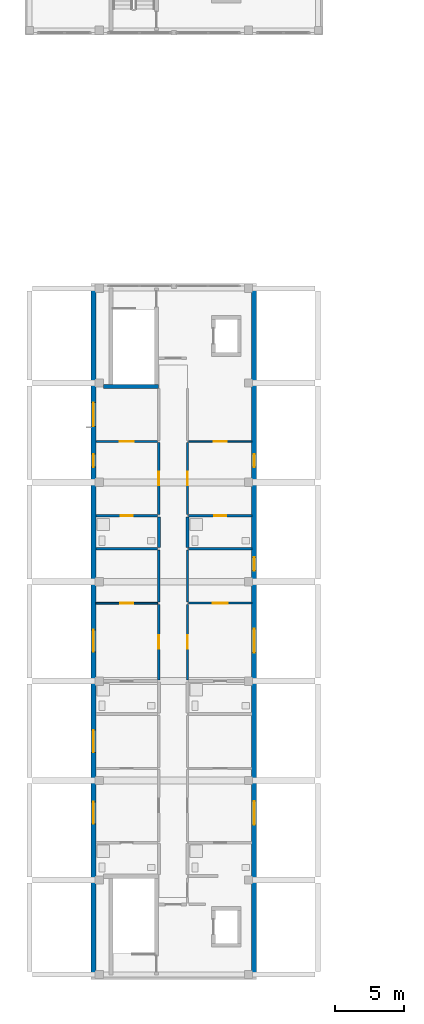
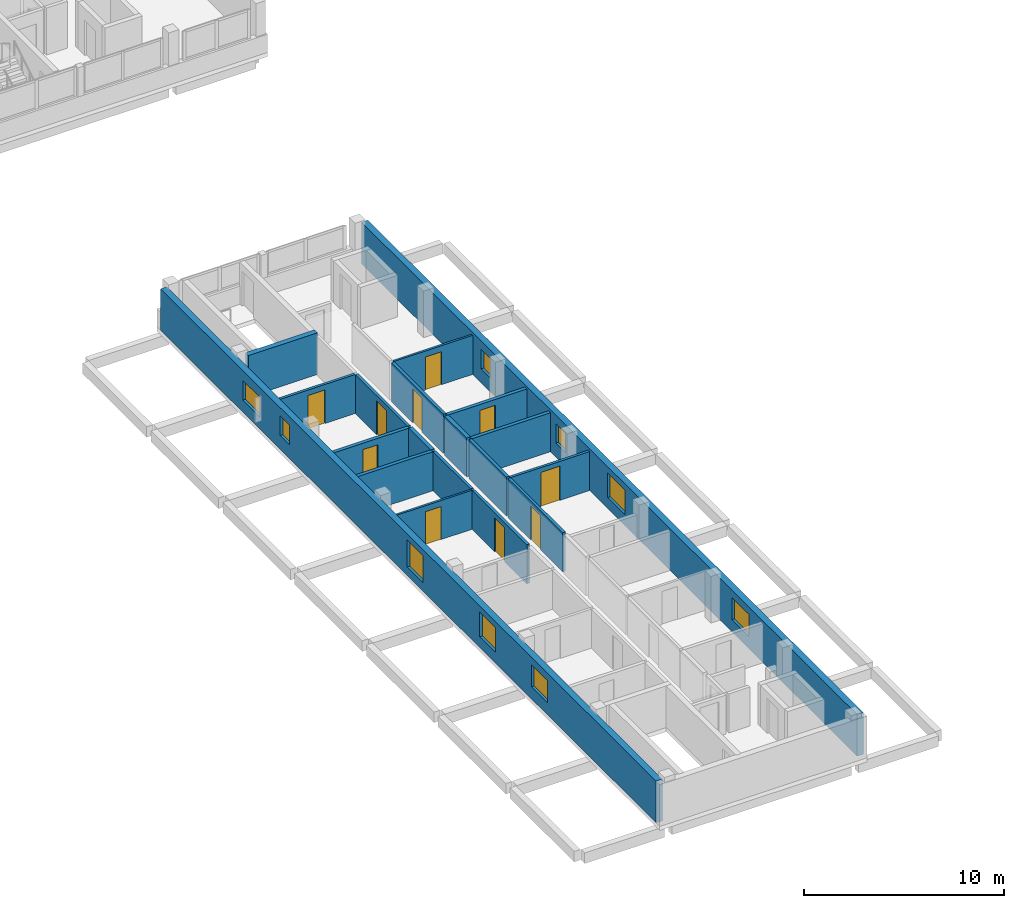
# One storey, part 12 of 34: 19 walls, 10 doors, 9 windows, 19 openings.
"""IFC4 building model written with IfcOpenShell, lengths in metres."""

from ifc_helpers import new_model, si_unit, derived_unit, direction, frame, frame_2d, origin, place, context, subcontext, project, spatial, rectangle, extrude, material, layer, layer_set, type_object, element, fill, save


model = new_model("IFC4")

# Units and contexts
model_context = context("Model", 3, precision=1e-05, world=origin(), true_north=direction((0.0, 1.0)))
body_context = subcontext(model_context, "Body", "Model", "MODEL_VIEW")
ifc_project = project(units=[si_unit("LENGTHUNIT", "METRE"), si_unit("AREAUNIT", "SQUARE_METRE"), si_unit("VOLUMEUNIT", "CUBIC_METRE"), si_unit("PLANEANGLEUNIT", "RADIAN"), si_unit("MASSUNIT", "GRAM", prefix="KILO"), derived_unit("THERMALTRANSMITTANCEUNIT", [(si_unit("MASSUNIT", "GRAM", prefix="KILO"), 1), (si_unit("TIMEUNIT", "SECOND"), -3), (si_unit("THERMODYNAMICTEMPERATUREUNIT", "KELVIN"), -1)])], contexts=[model_context])

# Site, building, storey
site_placement = place(None, origin())
site = spatial("IfcSite", under=ifc_project, at=site_placement, CompositionType="ELEMENT")
building_placement = place(site_placement, origin())
building = spatial("IfcBuilding", under=site, at=building_placement, Name="Ochrekiln Boulevard Commons", CompositionType="ELEMENT")
storey_placement = place(building_placement, frame((0.0, 0.0, 27.824951171875)))
storey = spatial("IfcBuildingStorey", under=building, at=storey_placement, Name="L08", CompositionType="ELEMENT", Elevation=27.824951171875)

# Wall, openings, windows
ifc_material_1 = material(Name="Iron-spot brown clinker brick masonry ASTM C216 Grade SW", Category="masonry")
ifc_layer_1 = layer(ifc_material_1, 0.364990234375)
ifc_layer_set_1 = layer_set([ifc_layer_1], Name="Iron-spot brown clinker brick masonry ASTM C216 Grade SW")
wall_type_1 = type_object("IfcWallType", Name="WL-EXT-IRON-365", PredefinedType="SOLIDWALL", material=ifc_layer_set_1)
wall_1_placement = place(storey_placement, frame((4.982421875, 0.364990234375, 0.0), z_axis=(0.0, 0.0, 1.0), x_axis=(0.0, 1.0, 0.0)))
wall_1 = element("IfcWall", 1, at=wall_1_placement, inside=storey, type_object=wall_type_1, Name="Block D L08 W Exterior Wall", PredefinedType="SOLIDWALL", context=body_context, shape_type="SweptSolid", body=[
    extrude(rectangle(XDim=49.669921875, YDim=0.364990234375, at=frame_2d((24.8349609375, 0.0))), origin(), (0.0, 0.0, 1.0), 2.550048828125),
])
opening_1_placement = place(wall_1_placement, frame((10.889892578125, 0.0, 0.75)))
opening_1 = element("IfcOpeningElement", 2, at=opening_1_placement, cuts=wall_1, Name="Opening W-32", PredefinedType="OPENING", context=body_context, shape_type="SweptSolid", body=[
    extrude(rectangle(XDim=1.60009765625, YDim=1.35009765625, at=frame_2d((0.800048828125, 0.675048828125))), frame((0.0, 0.1923828125, 0.0), z_axis=(0.0, -1.0, 0.0), x_axis=(1.0, 0.0, 0.0)), (0.0, 0.0, 1.0), 0.385009765625),
])
opening_2_placement = place(wall_1_placement, frame((16.075927734375, 0.0, 0.6650390625)))
opening_2 = element("IfcOpeningElement", 3, at=opening_2_placement, cuts=wall_1, Name="Opening W-33", PredefinedType="OPENING", context=body_context, shape_type="SweptSolid", body=[
    extrude(rectangle(XDim=1.60009765625, YDim=1.5, at=frame_2d((0.800048828125, 0.75))), frame((0.0, 0.1923828125, 0.0), z_axis=(0.0, -1.0, 0.0), x_axis=(1.0, 0.0, 0.0)), (0.0, 0.0, 1.0), 0.385009765625),
])
opening_3_placement = place(wall_1_placement, frame((23.35205078125, 0.0, 0.514892578125)))
opening_3 = element("IfcOpeningElement", 4, at=opening_3_placement, cuts=wall_1, Name="Opening W-34", PredefinedType="OPENING", context=body_context, shape_type="SweptSolid", body=[
    extrude(rectangle(XDim=1.60009765625, YDim=1.64990234375, at=frame_2d((0.800048828125, 0.824951171875))), frame((0.0, 0.1923828125, 0.0), z_axis=(0.0, -1.0, 0.0), x_axis=(1.0, 0.0, 0.0)), (0.0, 0.0, 1.0), 0.385009765625),
])
opening_4_placement = place(wall_1_placement, frame((36.72998046875, 0.0, 0.85009765625)))
opening_4 = element("IfcOpeningElement", 5, at=opening_4_placement, cuts=wall_1, Name="Opening W-01", PredefinedType="OPENING", context=body_context, shape_type="SweptSolid", body=[
    extrude(rectangle(XDim=0.949951171875, YDim=1.199951171875, at=frame_2d((0.47509765625, 0.60009765625))), frame((0.0, 0.1923828125, 0.0), z_axis=(0.0, -1.0, 0.0), x_axis=(1.0, 0.0, 0.0)), (0.0, 0.0, 1.0), 0.385009765625),
])
opening_5_placement = place(wall_1_placement, frame((39.68994140625, 0.0, 0.75)))
opening_5 = element("IfcOpeningElement", 6, at=opening_5_placement, cuts=wall_1, Name="Opening W-36", PredefinedType="OPENING", context=body_context, shape_type="SweptSolid", body=[
    extrude(rectangle(XDim=1.719970703125, YDim=1.199951171875, at=frame_2d((0.85986328125, 0.60009765625))), frame((0.0, 0.1923828125, 0.0), z_axis=(0.0, -1.0, 0.0), x_axis=(1.0, 0.0, 0.0)), (0.0, 0.0, 1.0), 0.385009765625),
])
ifc_material_2 = material(Name="Thermally broken aluminium-clad oak frame", Category="aluminium")
window_type_1 = type_object("IfcWindowType", Name="WIN-EXT-01", PartitioningType="SINGLE_PANEL", PredefinedType="WINDOW", material=ifc_material_2)
window_1_placement = place(opening_4_placement, origin())
window_1 = element("IfcWindow", 7, at=window_1_placement, inside=storey, type_object=window_type_1, Name="Block D L08 Punched Masonry Window W-01", OverallHeight=1.199951171875, OverallWidth=0.949951171875, PartitioningType="SINGLE_PANEL", PredefinedType="WINDOW", context=body_context, shape_type="SweptSolid", body=[
    extrude(rectangle(XDim=0.949951171875, YDim=1.199951171875, at=frame_2d((0.47509765625, 0.60009765625))), frame((0.0, 0.030029296875, 0.0), z_axis=(0.0, -1.0, 0.0), x_axis=(1.0, 0.0, 0.0)), (0.0, 0.0, 1.0), 0.06005859375),
])
fill(opening_4, window_1)
window_type_2 = type_object("IfcWindowType", Name="WIN-EXT-32", PartitioningType="DOUBLE_PANEL_VERTICAL", PredefinedType="WINDOW", material=ifc_material_2)
window_2_placement = place(opening_1_placement, origin())
window_2 = element("IfcWindow", 8, at=window_2_placement, inside=storey, type_object=window_type_2, Name="Block D L08 Punched Masonry Window W-32", OverallHeight=1.35009765625, OverallWidth=1.60009765625, PartitioningType="DOUBLE_PANEL_VERTICAL", PredefinedType="WINDOW", context=body_context, shape_type="SweptSolid", body=[
    extrude(rectangle(XDim=1.60009765625, YDim=1.35009765625, at=frame_2d((0.800048828125, 0.675048828125))), frame((0.0, 0.030029296875, 0.0), z_axis=(0.0, -1.0, 0.0), x_axis=(1.0, 0.0, 0.0)), (0.0, 0.0, 1.0), 0.06005859375),
])
fill(opening_1, window_2)
window_type_3 = type_object("IfcWindowType", Name="WIN-EXT-33", PartitioningType="DOUBLE_PANEL_VERTICAL", PredefinedType="WINDOW", material=ifc_material_2)
window_3_placement = place(opening_2_placement, origin())
window_3 = element("IfcWindow", 9, at=window_3_placement, inside=storey, type_object=window_type_3, Name="Block D L08 Punched Masonry Window W-33", OverallHeight=1.5, OverallWidth=1.60009765625, PartitioningType="DOUBLE_PANEL_VERTICAL", PredefinedType="WINDOW", context=body_context, shape_type="SweptSolid", body=[
    extrude(rectangle(XDim=1.60009765625, YDim=1.5, at=frame_2d((0.800048828125, 0.75))), frame((0.0, 0.030029296875, 0.0), z_axis=(0.0, -1.0, 0.0), x_axis=(1.0, 0.0, 0.0)), (0.0, 0.0, 1.0), 0.06005859375),
])
fill(opening_2, window_3)
window_type_4 = type_object("IfcWindowType", Name="WIN-EXT-34", PartitioningType="DOUBLE_PANEL_VERTICAL", PredefinedType="WINDOW", material=ifc_material_2)
window_4_placement = place(opening_3_placement, origin())
window_4 = element("IfcWindow", 10, at=window_4_placement, inside=storey, type_object=window_type_4, Name="Block D L08 Punched Masonry Window W-34", OverallHeight=1.64990234375, OverallWidth=1.60009765625, PartitioningType="DOUBLE_PANEL_VERTICAL", PredefinedType="WINDOW", context=body_context, shape_type="SweptSolid", body=[
    extrude(rectangle(XDim=1.60009765625, YDim=1.64990234375, at=frame_2d((0.800048828125, 0.824951171875))), frame((0.0, 0.030029296875, 0.0), z_axis=(0.0, -1.0, 0.0), x_axis=(1.0, 0.0, 0.0)), (0.0, 0.0, 1.0), 0.06005859375),
])
fill(opening_3, window_4)
window_type_5 = type_object("IfcWindowType", Name="WIN-EXT-36", PartitioningType="DOUBLE_PANEL_VERTICAL", PredefinedType="WINDOW", material=ifc_material_2)
window_5_placement = place(opening_5_placement, origin())
window_5 = element("IfcWindow", 11, at=window_5_placement, inside=storey, type_object=window_type_5, Name="Block D L08 Punched Masonry Window W-36", OverallHeight=1.199951171875, OverallWidth=1.719970703125, PartitioningType="DOUBLE_PANEL_VERTICAL", PredefinedType="WINDOW", context=body_context, shape_type="SweptSolid", body=[
    extrude(rectangle(XDim=1.719970703125, YDim=1.199951171875, at=frame_2d((0.85986328125, 0.60009765625))), frame((0.0, 0.030029296875, 0.0), z_axis=(0.0, -1.0, 0.0), x_axis=(1.0, 0.0, 0.0)), (0.0, 0.0, 1.0), 0.06005859375),
])
fill(opening_5, window_5)

wall_2_placement = place(storey_placement, frame((16.617431640625, 0.364990234375, 0.0), z_axis=(0.0, 0.0, 1.0), x_axis=(0.0, 1.0, 0.0)))
wall_2 = element("IfcWall", 12, at=wall_2_placement, inside=storey, type_object=wall_type_1, Name="Block D L08 E Exterior Wall", PredefinedType="SOLIDWALL", context=body_context, shape_type="SweptSolid", body=[
    extrude(rectangle(XDim=49.669921875, YDim=0.364990234375, at=frame_2d((24.8349609375, 0.0))), origin(), (0.0, 0.0, 1.0), 2.550048828125),
])
opening_6_placement = place(wall_2_placement, frame((10.830078125, 0.0, 0.75)))
opening_6 = element("IfcOpeningElement", 13, at=opening_6_placement, cuts=wall_2, Name="Opening W-37", PredefinedType="OPENING", context=body_context, shape_type="SweptSolid", body=[
    extrude(rectangle(XDim=1.719970703125, YDim=1.35009765625, at=frame_2d((0.85986328125, 0.675048828125))), frame((0.0, 0.1923828125, 0.0), z_axis=(0.0, -1.0, 0.0), x_axis=(1.0, 0.0, 0.0)), (0.0, 0.0, 1.0), 0.385009765625),
])
opening_7_placement = place(wall_2_placement, frame((23.2919921875, 0.0, 0.6650390625)))
opening_7 = element("IfcOpeningElement", 14, at=opening_7_placement, cuts=wall_2, Name="Opening W-38", PredefinedType="OPENING", context=body_context, shape_type="SweptSolid", body=[
    extrude(rectangle(XDim=1.719970703125, YDim=1.5, at=frame_2d((0.85986328125, 0.75))), frame((0.0, 0.1923828125, 0.0), z_axis=(0.0, -1.0, 0.0), x_axis=(1.0, 0.0, 0.0)), (0.0, 0.0, 1.0), 0.385009765625),
])
opening_8_placement = place(wall_2_placement, frame((29.241943359375, 0.0, 0.85009765625)))
opening_8 = element("IfcOpeningElement", 15, at=opening_8_placement, cuts=wall_2, Name="Opening W-01", PredefinedType="OPENING", context=body_context, shape_type="SweptSolid", body=[
    extrude(rectangle(XDim=0.949951171875, YDim=1.199951171875, at=frame_2d((0.47509765625, 0.60009765625))), frame((0.0, 0.1923828125, 0.0), z_axis=(0.0, -1.0, 0.0), x_axis=(1.0, 0.0, 0.0)), (0.0, 0.0, 1.0), 0.385009765625),
])
opening_9_placement = place(wall_2_placement, frame((36.72998046875, 0.0, 0.85009765625)))
opening_9 = element("IfcOpeningElement", 16, at=opening_9_placement, cuts=wall_2, Name="Opening W-01", PredefinedType="OPENING", context=body_context, shape_type="SweptSolid", body=[
    extrude(rectangle(XDim=0.949951171875, YDim=1.199951171875, at=frame_2d((0.47509765625, 0.60009765625))), frame((0.0, 0.1923828125, 0.0), z_axis=(0.0, -1.0, 0.0), x_axis=(1.0, 0.0, 0.0)), (0.0, 0.0, 1.0), 0.385009765625),
])
window_6_placement = place(opening_8_placement, origin())
window_6 = element("IfcWindow", 17, at=window_6_placement, inside=storey, type_object=window_type_1, Name="Block D L08 Punched Masonry Window W-01", OverallHeight=1.199951171875, OverallWidth=0.949951171875, PartitioningType="SINGLE_PANEL", PredefinedType="WINDOW", context=body_context, shape_type="SweptSolid", body=[
    extrude(rectangle(XDim=0.949951171875, YDim=1.199951171875, at=frame_2d((0.47509765625, 0.60009765625))), frame((0.0, 0.030029296875, 0.0), z_axis=(0.0, -1.0, 0.0), x_axis=(1.0, 0.0, 0.0)), (0.0, 0.0, 1.0), 0.06005859375),
])
fill(opening_8, window_6)
window_7_placement = place(opening_9_placement, origin())
window_7 = element("IfcWindow", 18, at=window_7_placement, inside=storey, type_object=window_type_1, Name="Block D L08 Punched Masonry Window W-01", OverallHeight=1.199951171875, OverallWidth=0.949951171875, PartitioningType="SINGLE_PANEL", PredefinedType="WINDOW", context=body_context, shape_type="SweptSolid", body=[
    extrude(rectangle(XDim=0.949951171875, YDim=1.199951171875, at=frame_2d((0.47509765625, 0.60009765625))), frame((0.0, 0.030029296875, 0.0), z_axis=(0.0, -1.0, 0.0), x_axis=(1.0, 0.0, 0.0)), (0.0, 0.0, 1.0), 0.06005859375),
])
fill(opening_9, window_7)
window_type_6 = type_object("IfcWindowType", Name="WIN-EXT-37", PartitioningType="DOUBLE_PANEL_VERTICAL", PredefinedType="WINDOW", material=ifc_material_2)
window_8_placement = place(opening_6_placement, origin())
window_8 = element("IfcWindow", 19, at=window_8_placement, inside=storey, type_object=window_type_6, Name="Block D L08 Punched Masonry Window W-37", OverallHeight=1.35009765625, OverallWidth=1.719970703125, PartitioningType="DOUBLE_PANEL_VERTICAL", PredefinedType="WINDOW", context=body_context, shape_type="SweptSolid", body=[
    extrude(rectangle(XDim=1.719970703125, YDim=1.35009765625, at=frame_2d((0.85986328125, 0.675048828125))), frame((0.0, 0.030029296875, 0.0), z_axis=(0.0, -1.0, 0.0), x_axis=(1.0, 0.0, 0.0)), (0.0, 0.0, 1.0), 0.06005859375),
])
fill(opening_6, window_8)
window_type_7 = type_object("IfcWindowType", Name="WIN-EXT-38", PartitioningType="DOUBLE_PANEL_VERTICAL", PredefinedType="WINDOW", material=ifc_material_2)
window_9_placement = place(opening_7_placement, origin())
window_9 = element("IfcWindow", 20, at=window_9_placement, inside=storey, type_object=window_type_7, Name="Block D L08 Punched Masonry Window W-38", OverallHeight=1.5, OverallWidth=1.719970703125, PartitioningType="DOUBLE_PANEL_VERTICAL", PredefinedType="WINDOW", context=body_context, shape_type="SweptSolid", body=[
    extrude(rectangle(XDim=1.719970703125, YDim=1.5, at=frame_2d((0.85986328125, 0.75))), frame((0.0, 0.030029296875, 0.0), z_axis=(0.0, -1.0, 0.0), x_axis=(1.0, 0.0, 0.0)), (0.0, 0.0, 1.0), 0.06005859375),
])
fill(opening_7, window_9)

# Wall
ifc_material_3 = material(Name="Moisture-resistant cementitious tile backer wall")
ifc_layer_2 = layer(ifc_material_3, 0.199951171875)
ifc_layer_set_2 = layer_set([ifc_layer_2], Name="Moisture-resistant cementitious tile backer wall")
wall_type_2 = type_object("IfcWallType", Name="WL-PLM-200", PredefinedType="PLUMBINGWALL", material=ifc_layer_set_2)
wall_3_placement = place(storey_placement, frame((5.14990234375, 31.18408203125, 0.0), z_axis=(0.0, 0.0, 1.0), x_axis=(1.0, 0.0, 0.0)))
element("IfcWall", 21, at=wall_3_placement, inside=storey, type_object=wall_type_2, Name="L08 Interior Wall W-PW200", PredefinedType="PLUMBINGWALL", context=body_context, shape_type="SweptSolid", body=[
    extrude(rectangle(XDim=4.47802734375, YDim=0.199951171875, at=frame_2d((2.239013671875, 0.0))), origin(), (0.0, 0.0, 1.0), 2.39013671875),
])

# Wall, opening, door
wall_4_placement = place(storey_placement, frame((5.14990234375, 33.573974609375, 0.0), z_axis=(0.0, 0.0, 1.0), x_axis=(1.0, 0.0, 0.0)))
wall_4 = element("IfcWall", 22, at=wall_4_placement, inside=storey, type_object=wall_type_2, Name="L08 Interior Wall W-PW200", PredefinedType="PLUMBINGWALL", context=body_context, shape_type="SweptSolid", body=[
    extrude(rectangle(XDim=4.47802734375, YDim=0.199951171875, at=frame_2d((2.239013671875, 0.0))), origin(), (0.0, 0.0, 1.0), 2.39013671875),
])
opening_10_placement = place(wall_4_placement, frame((1.804931640625, 0.0, 0.0)))
opening_10 = element("IfcOpeningElement", 23, at=opening_10_placement, cuts=wall_4, Name="Opening D-L08-1088", PredefinedType="OPENING", context=body_context, shape_type="SweptSolid", body=[
    extrude(rectangle(XDim=0.860107421875, YDim=2.0, at=frame_2d((0.43017578125, 1.0))), frame((0.0, 0.10986328125, 0.0), z_axis=(0.0, -1.0, 0.0), x_axis=(1.0, 0.0, 0.0)), (0.0, 0.0, 1.0), 0.219970703125),
])
ifc_material_4 = material(Name="Solid core architectural oak door leaf")
door_type_1 = type_object("IfcDoorType", Name="DR-INT-BTH-086", OperationType="NOTDEFINED", PredefinedType="DOOR", material=ifc_material_4)
door_1_placement = place(opening_10_placement, frame((0.860107421875, 0.0, 0.0), z_axis=(0.0, 0.0, 1.0), x_axis=(-1.0, 0.0, 0.0)))
door_1 = element("IfcDoor", 24, at=door_1_placement, inside=storey, type_object=door_type_1, Name="L08 Interior Door to Loft Bathroom", OperationType="SINGLE_SWING_RIGHT", OverallHeight=2.0, OverallWidth=0.860107421875, PredefinedType="DOOR", context=body_context, shape_type="SweptSolid", body=[
    extrude(rectangle(XDim=0.860107421875, YDim=2.0, at=frame_2d((0.43017578125, 1.0))), frame((0.0, 0.02490234375, 0.0), z_axis=(0.0, -1.0, 0.0), x_axis=(1.0, 0.0, 0.0)), (0.0, 0.0, 1.0), 0.050048828125),
])
fill(opening_10, door_1)

# Wall
wall_5_placement = place(storey_placement, frame((11.8720703125, 31.18408203125, 0.0), z_axis=(0.0, 0.0, 1.0), x_axis=(1.0, 0.0, 0.0)))
element("IfcWall", 25, at=wall_5_placement, inside=storey, type_object=wall_type_2, Name="L08 Interior Wall W-PW200", PredefinedType="PLUMBINGWALL", context=body_context, shape_type="SweptSolid", body=[
    extrude(rectangle(XDim=4.577880859375, YDim=0.199951171875, at=frame_2d((2.2890625, 0.0))), origin(), (0.0, 0.0, 1.0), 2.39013671875),
])

# Wall, opening, door
wall_6_placement = place(storey_placement, frame((11.8720703125, 33.573974609375, 0.0), z_axis=(0.0, 0.0, 1.0), x_axis=(1.0, 0.0, 0.0)))
wall_6 = element("IfcWall", 26, at=wall_6_placement, inside=storey, type_object=wall_type_2, Name="L08 Interior Wall W-PW200", PredefinedType="PLUMBINGWALL", context=body_context, shape_type="SweptSolid", body=[
    extrude(rectangle(XDim=4.577880859375, YDim=0.199951171875, at=frame_2d((2.2890625, 0.0))), origin(), (0.0, 0.0, 1.0), 2.39013671875),
])
opening_11_placement = place(wall_6_placement, frame((1.847900390625, 0.0, 0.0)))
opening_11 = element("IfcOpeningElement", 27, at=opening_11_placement, cuts=wall_6, Name="Opening D-L08-1094", PredefinedType="OPENING", context=body_context, shape_type="SweptSolid", body=[
    extrude(rectangle(XDim=0.889892578125, YDim=2.030029296875, at=frame_2d((0.44482421875, 1.01513671875))), frame((0.0, 0.10986328125, 0.0), z_axis=(0.0, -1.0, 0.0), x_axis=(1.0, 0.0, 0.0)), (0.0, 0.0, 1.0), 0.219970703125),
])
door_type_2 = type_object("IfcDoorType", Name="DR-INT-BTH-089", OperationType="NOTDEFINED", PredefinedType="DOOR", material=ifc_material_4)
door_2_placement = place(opening_11_placement, frame((0.889892578125, 0.0, 0.0), z_axis=(0.0, 0.0, 1.0), x_axis=(-1.0, 0.0, 0.0)))
door_2 = element("IfcDoor", 28, at=door_2_placement, inside=storey, type_object=door_type_2, Name="L08 Interior Door to Loft Bathroom", OperationType="SINGLE_SWING_RIGHT", OverallHeight=2.030029296875, OverallWidth=0.889892578125, PredefinedType="DOOR", context=body_context, shape_type="SweptSolid", body=[
    extrude(rectangle(XDim=0.889892578125, YDim=2.030029296875, at=frame_2d((0.44482421875, 1.01513671875))), frame((0.0, 0.02490234375, 0.0), z_axis=(0.0, -1.0, 0.0), x_axis=(1.0, 0.0, 0.0)), (0.0, 0.0, 1.0), 0.050048828125),
])
fill(opening_11, door_2)

# Walls
ifc_layer_3 = layer(ifc_material_3, 0.219970703125)
ifc_layer_set_3 = layer_set([ifc_layer_3], Name="Moisture-resistant cementitious tile backer wall")
wall_type_3 = type_object("IfcWallType", Name="WL-PLM-220", PredefinedType="PLUMBINGWALL", material=ifc_layer_set_3)
for number, where, z_axis, x_axis, name in (
    (29, (9.7099609375, 31.27392578125, 0.0), (0.0, 0.0, 1.0), (0.0, 1.0, 0.0), "L08 Interior Wall W-PW220"),
    (30, (11.7900390625, 31.27392578125, 0.0), (0.0, 0.0, 1.0), (0.0, 1.0, 0.0), "L08 Interior Wall W-PW220"),
):
    element("IfcWall", number, at=place(storey_placement, frame(where, z_axis=z_axis, x_axis=x_axis)), inside=storey, type_object=wall_type_3, Name=name, PredefinedType="PLUMBINGWALL", context=body_context, shape_type="SweptSolid", body=[
        extrude(rectangle(XDim=2.219970703125, YDim=0.219970703125, at=frame_2d((1.10986328125, 0.0))), origin(), (0.0, 0.0, 1.0), 2.39013671875),
    ])

# Wall, opening, door
ifc_material_5 = material(Name="Fire-rated Type X gypsum board on steel studs", Category="steel")
ifc_layer_4 = layer(ifc_material_5, 0.1650390625)
ifc_layer_set_4 = layer_set([ifc_layer_4], Name="Fire-rated Type X gypsum board on steel studs")
wall_type_4 = type_object("IfcWallType", Name="WL-PT-CORR-165", PredefinedType="PARTITIONING", material=ifc_layer_set_4)
wall_7_placement = place(storey_placement, frame((9.7099609375, 21.68603515625, 0.0), z_axis=(0.0, 0.0, 1.0), x_axis=(0.0, 1.0, 0.0)))
wall_7 = element("IfcWall", 31, at=wall_7_placement, inside=storey, type_object=wall_type_4, Name="L08 Interior Wall W-PC165", PredefinedType="PARTITIONING", context=body_context, shape_type="SweptSolid", body=[
    extrude(rectangle(XDim=5.47802734375, YDim=0.1650390625, at=frame_2d((2.739013671875, 0.0))), origin(), (0.0, 0.0, 1.0), 2.39013671875),
])
opening_12_placement = place(wall_7_placement, frame((2.2490234375, 0.0, 0.0)))
opening_12 = element("IfcOpeningElement", 32, at=opening_12_placement, cuts=wall_7, Name="Opening D-L08-1079", PredefinedType="OPENING", context=body_context, shape_type="SweptSolid", body=[
    extrude(rectangle(XDim=0.97998046875, YDim=2.080078125, at=frame_2d((0.489990234375, 1.0400390625))), frame((0.0, 0.092529296875, 0.0), z_axis=(0.0, -1.0, 0.0), x_axis=(1.0, 0.0, 0.0)), (0.0, 0.0, 1.0), 0.18505859375),
])
door_type_3 = type_object("IfcDoorType", Name="DR-APT-60", OperationType="NOTDEFINED", PredefinedType="DOOR", material=ifc_material_4)
door_3_placement = place(opening_12_placement, origin())
door_3 = element("IfcDoor", 33, at=door_3_placement, inside=storey, type_object=door_type_3, Name="L08 Interior Door to Loft Living Room", OperationType="SINGLE_SWING_LEFT", OverallHeight=2.080078125, OverallWidth=0.97998046875, PredefinedType="DOOR", context=body_context, shape_type="SweptSolid", body=[
    extrude(rectangle(XDim=0.97998046875, YDim=2.080078125, at=frame_2d((0.489990234375, 1.0400390625))), frame((0.0, 0.02490234375, 0.0), z_axis=(0.0, -1.0, 0.0), x_axis=(1.0, 0.0, 0.0)), (0.0, 0.0, 1.0), 0.050048828125),
])
fill(opening_12, door_3)

# Wall
wall_8_placement = place(storey_placement, frame((9.7099609375, 27.323974609375, 0.0), z_axis=(0.0, 0.0, 1.0), x_axis=(0.0, 1.0, 0.0)))
element("IfcWall", 34, at=wall_8_placement, inside=storey, type_object=wall_type_4, Name="L08 Interior Wall W-PC165", PredefinedType="PARTITIONING", context=body_context, shape_type="SweptSolid", body=[
    extrude(rectangle(XDim=3.77001953125, YDim=0.1650390625, at=frame_2d((1.885009765625, 0.0))), origin(), (0.0, 0.0, 1.0), 2.39013671875),
])

# Wall, opening, door
wall_9_placement = place(storey_placement, frame((9.7099609375, 33.654052734375, 0.0), z_axis=(0.0, 0.0, 1.0), x_axis=(0.0, 1.0, 0.0)))
wall_9 = element("IfcWall", 35, at=wall_9_placement, inside=storey, type_object=wall_type_4, Name="L08 Interior Wall W-PC165", PredefinedType="PARTITIONING", context=body_context, shape_type="SweptSolid", body=[
    extrude(rectangle(XDim=5.216064453125, YDim=0.1650390625, at=frame_2d((2.60791015625, 0.0))), origin(), (0.0, 0.0, 1.0), 2.39013671875),
])
opening_13_placement = place(wall_9_placement, frame((2.117919921875, 0.0, 0.0)))
opening_13 = element("IfcOpeningElement", 36, at=opening_13_placement, cuts=wall_9, Name="Opening D-L08-1080", PredefinedType="OPENING", context=body_context, shape_type="SweptSolid", body=[
    extrude(rectangle(XDim=0.97998046875, YDim=2.080078125, at=frame_2d((0.489990234375, 1.0400390625))), frame((0.0, 0.092529296875, 0.0), z_axis=(0.0, -1.0, 0.0), x_axis=(1.0, 0.0, 0.0)), (0.0, 0.0, 1.0), 0.18505859375),
])
door_4_placement = place(opening_13_placement, origin())
door_4 = element("IfcDoor", 37, at=door_4_placement, inside=storey, type_object=door_type_3, Name="L08 Interior Door to Loft Living Room", OperationType="SINGLE_SWING_RIGHT", OverallHeight=2.080078125, OverallWidth=0.97998046875, PredefinedType="DOOR", context=body_context, shape_type="SweptSolid", body=[
    extrude(rectangle(XDim=0.97998046875, YDim=2.080078125, at=frame_2d((0.489990234375, 1.0400390625))), frame((0.0, 0.02490234375, 0.0), z_axis=(0.0, -1.0, 0.0), x_axis=(1.0, 0.0, 0.0)), (0.0, 0.0, 1.0), 0.050048828125),
])
fill(opening_13, door_4)

wall_10_placement = place(storey_placement, frame((11.7900390625, 21.68603515625, 0.0), z_axis=(0.0, 0.0, 1.0), x_axis=(0.0, 1.0, 0.0)))
wall_10 = element("IfcWall", 38, at=wall_10_placement, inside=storey, type_object=wall_type_4, Name="L08 Interior Wall W-PC165", PredefinedType="PARTITIONING", context=body_context, shape_type="SweptSolid", body=[
    extrude(rectangle(XDim=5.47802734375, YDim=0.1650390625, at=frame_2d((2.739013671875, 0.0))), origin(), (0.0, 0.0, 1.0), 2.39013671875),
])
opening_14_placement = place(wall_10_placement, frame((2.2490234375, 0.0, 0.0)))
opening_14 = element("IfcOpeningElement", 39, at=opening_14_placement, cuts=wall_10, Name="Opening D-L08-1082", PredefinedType="OPENING", context=body_context, shape_type="SweptSolid", body=[
    extrude(rectangle(XDim=0.97998046875, YDim=2.080078125, at=frame_2d((0.489990234375, 1.0400390625))), frame((0.0, 0.092529296875, 0.0), z_axis=(0.0, -1.0, 0.0), x_axis=(1.0, 0.0, 0.0)), (0.0, 0.0, 1.0), 0.18505859375),
])
door_5_placement = place(opening_14_placement, frame((0.97998046875, 0.0, 0.0), z_axis=(0.0, 0.0, 1.0), x_axis=(-1.0, 0.0, 0.0)))
door_5 = element("IfcDoor", 40, at=door_5_placement, inside=storey, type_object=door_type_3, Name="L08 Interior Door to Loft Living Room", OperationType="SINGLE_SWING_RIGHT", OverallHeight=2.080078125, OverallWidth=0.97998046875, PredefinedType="DOOR", context=body_context, shape_type="SweptSolid", body=[
    extrude(rectangle(XDim=0.97998046875, YDim=2.080078125, at=frame_2d((0.489990234375, 1.0400390625))), frame((0.0, 0.02490234375, 0.0), z_axis=(0.0, -1.0, 0.0), x_axis=(1.0, 0.0, 0.0)), (0.0, 0.0, 1.0), 0.050048828125),
])
fill(opening_14, door_5)

# Wall
wall_11_placement = place(storey_placement, frame((11.7900390625, 27.323974609375, 0.0), z_axis=(0.0, 0.0, 1.0), x_axis=(0.0, 1.0, 0.0)))
element("IfcWall", 41, at=wall_11_placement, inside=storey, type_object=wall_type_4, Name="L08 Interior Wall W-PC165", PredefinedType="PARTITIONING", context=body_context, shape_type="SweptSolid", body=[
    extrude(rectangle(XDim=3.77001953125, YDim=0.1650390625, at=frame_2d((1.885009765625, 0.0))), origin(), (0.0, 0.0, 1.0), 2.39013671875),
])

# Wall, opening, door
wall_12_placement = place(storey_placement, frame((11.7900390625, 33.654052734375, 0.0), z_axis=(0.0, 0.0, 1.0), x_axis=(0.0, 1.0, 0.0)))
wall_12 = element("IfcWall", 42, at=wall_12_placement, inside=storey, type_object=wall_type_4, Name="L08 Interior Wall W-PC165", PredefinedType="PARTITIONING", context=body_context, shape_type="SweptSolid", body=[
    extrude(rectangle(XDim=5.216064453125, YDim=0.1650390625, at=frame_2d((2.60791015625, 0.0))), origin(), (0.0, 0.0, 1.0), 2.39013671875),
])
opening_15_placement = place(wall_12_placement, frame((2.117919921875, 0.0, 0.0)))
opening_15 = element("IfcOpeningElement", 43, at=opening_15_placement, cuts=wall_12, Name="Opening D-L08-1083", PredefinedType="OPENING", context=body_context, shape_type="SweptSolid", body=[
    extrude(rectangle(XDim=0.97998046875, YDim=2.080078125, at=frame_2d((0.489990234375, 1.0400390625))), frame((0.0, 0.092529296875, 0.0), z_axis=(0.0, -1.0, 0.0), x_axis=(1.0, 0.0, 0.0)), (0.0, 0.0, 1.0), 0.18505859375),
])
door_6_placement = place(opening_15_placement, frame((0.97998046875, 0.0, 0.0), z_axis=(0.0, 0.0, 1.0), x_axis=(-1.0, 0.0, 0.0)))
door_6 = element("IfcDoor", 44, at=door_6_placement, inside=storey, type_object=door_type_3, Name="L08 Interior Door to Loft Living Room", OperationType="SINGLE_SWING_LEFT", OverallHeight=2.080078125, OverallWidth=0.97998046875, PredefinedType="DOOR", context=body_context, shape_type="SweptSolid", body=[
    extrude(rectangle(XDim=0.97998046875, YDim=2.080078125, at=frame_2d((0.489990234375, 1.0400390625))), frame((0.0, 0.02490234375, 0.0), z_axis=(0.0, -1.0, 0.0), x_axis=(1.0, 0.0, 0.0)), (0.0, 0.0, 1.0), 0.050048828125),
])
fill(opening_15, door_6)

ifc_layer_5 = layer(ifc_material_5, 0.1201171875)
ifc_layer_set_5 = layer_set([ifc_layer_5], Name="Fire-rated Type X gypsum board on steel studs")
wall_type_5 = type_object("IfcWallType", Name="WL-PT-LGT-120", PredefinedType="PARTITIONING", material=ifc_layer_set_5)
wall_13_placement = place(storey_placement, frame((5.14990234375, 27.243896484375, 0.0), z_axis=(0.0, 0.0, 1.0), x_axis=(1.0, 0.0, 0.0)))
wall_13 = element("IfcWall", 45, at=wall_13_placement, inside=storey, type_object=wall_type_5, Name="L08 Interior Wall W-PL120", PredefinedType="PARTITIONING", context=body_context, shape_type="SweptSolid", body=[
    extrude(rectangle(XDim=4.47802734375, YDim=0.1201171875, at=frame_2d((2.239013671875, 0.0))), origin(), (0.0, 0.0, 1.0), 2.39013671875),
])
opening_16_placement = place(wall_13_placement, frame((1.77490234375, 0.0, 0.0)))
opening_16 = element("IfcOpeningElement", 46, at=opening_16_placement, cuts=wall_13, Name="Opening D-L08-1087", PredefinedType="OPENING", context=body_context, shape_type="SweptSolid", body=[
    extrude(rectangle(XDim=0.919921875, YDim=2.02001953125, at=frame_2d((0.4599609375, 1.010009765625))), frame((0.0, 0.070068359375, 0.0), z_axis=(0.0, -1.0, 0.0), x_axis=(1.0, 0.0, 0.0)), (0.0, 0.0, 1.0), 0.14013671875),
])
door_type_4 = type_object("IfcDoorType", Name="DR-INT-KIT-092", OperationType="NOTDEFINED", PredefinedType="DOOR", material=ifc_material_4)
door_7_placement = place(opening_16_placement, origin())
door_7 = element("IfcDoor", 47, at=door_7_placement, inside=storey, type_object=door_type_4, Name="L08 Interior Door to Loft Kitchen", OperationType="SINGLE_SWING_LEFT", OverallHeight=2.02001953125, OverallWidth=0.919921875, PredefinedType="DOOR", context=body_context, shape_type="SweptSolid", body=[
    extrude(rectangle(XDim=0.919921875, YDim=2.02001953125, at=frame_2d((0.4599609375, 1.010009765625))), frame((0.0, 0.02490234375, 0.0), z_axis=(0.0, -1.0, 0.0), x_axis=(1.0, 0.0, 0.0)), (0.0, 0.0, 1.0), 0.050048828125),
])
fill(opening_16, door_7)

wall_14_placement = place(storey_placement, frame((11.8720703125, 38.949951171875, 0.0), z_axis=(0.0, 0.0, 1.0), x_axis=(1.0, 0.0, 0.0)))
wall_14 = element("IfcWall", 48, at=wall_14_placement, inside=storey, type_object=wall_type_5, Name="L08 Interior Wall W-PL120", PredefinedType="PARTITIONING", context=body_context, shape_type="SweptSolid", body=[
    extrude(rectangle(XDim=4.577880859375, YDim=0.1201171875, at=frame_2d((2.2890625, 0.0))), origin(), (0.0, 0.0, 1.0), 2.39013671875),
])
opening_17_placement = place(wall_14_placement, frame((1.8330078125, 0.0, 0.0)))
opening_17 = element("IfcOpeningElement", 49, at=opening_17_placement, cuts=wall_14, Name="Opening D-L08-1095", PredefinedType="OPENING", context=body_context, shape_type="SweptSolid", body=[
    extrude(rectangle(XDim=0.919921875, YDim=2.02001953125, at=frame_2d((0.4599609375, 1.010009765625))), frame((0.0, 0.070068359375, 0.0), z_axis=(0.0, -1.0, 0.0), x_axis=(1.0, 0.0, 0.0)), (0.0, 0.0, 1.0), 0.14013671875),
])
door_8_placement = place(opening_17_placement, origin())
door_8 = element("IfcDoor", 50, at=door_8_placement, inside=storey, type_object=door_type_4, Name="L08 Interior Door to Loft Kitchen", OperationType="SINGLE_SWING_LEFT", OverallHeight=2.02001953125, OverallWidth=0.919921875, PredefinedType="DOOR", context=body_context, shape_type="SweptSolid", body=[
    extrude(rectangle(XDim=0.919921875, YDim=2.02001953125, at=frame_2d((0.4599609375, 1.010009765625))), frame((0.0, 0.02490234375, 0.0), z_axis=(0.0, -1.0, 0.0), x_axis=(1.0, 0.0, 0.0)), (0.0, 0.0, 1.0), 0.050048828125),
])
fill(opening_17, door_8)

ifc_layer_6 = layer(ifc_material_5, 0.14990234375)
ifc_layer_set_6 = layer_set([ifc_layer_6], Name="Fire-rated Type X gypsum board on steel studs")
wall_type_6 = type_object("IfcWallType", Name="WL-PT-STD-150", PredefinedType="PARTITIONING", material=ifc_layer_set_6)
wall_15_placement = place(storey_placement, frame((5.14990234375, 38.949951171875, 0.0), z_axis=(0.0, 0.0, 1.0), x_axis=(1.0, 0.0, 0.0)))
wall_15 = element("IfcWall", 51, at=wall_15_placement, inside=storey, type_object=wall_type_6, Name="L08 Interior Wall W-PS150", PredefinedType="PARTITIONING", context=body_context, shape_type="SweptSolid", body=[
    extrude(rectangle(XDim=4.47802734375, YDim=0.14990234375, at=frame_2d((2.239013671875, 0.0))), origin(), (0.0, 0.0, 1.0), 2.39013671875),
])
opening_18_placement = place(wall_15_placement, frame((1.735107421875, 0.0, 0.0)))
opening_18 = element("IfcOpeningElement", 52, at=opening_18_placement, cuts=wall_15, Name="Opening D-L08-1089", PredefinedType="OPENING", context=body_context, shape_type="SweptSolid", body=[
    extrude(rectangle(XDim=1.0, YDim=2.06005859375, at=frame_2d((0.5, 1.030029296875))), frame((0.0, 0.0849609375, 0.0), z_axis=(0.0, -1.0, 0.0), x_axis=(1.0, 0.0, 0.0)), (0.0, 0.0, 1.0), 0.169921875),
])
door_type_5 = type_object("IfcDoorType", Name="DR-INT-BED-100", OperationType="NOTDEFINED", PredefinedType="DOOR", material=ifc_material_4)
door_9_placement = place(opening_18_placement, origin())
door_9 = element("IfcDoor", 53, at=door_9_placement, inside=storey, type_object=door_type_5, Name="L08 Interior Door to Loft Bedroom", OperationType="SINGLE_SWING_LEFT", OverallHeight=2.06005859375, OverallWidth=1.0, PredefinedType="DOOR", context=body_context, shape_type="SweptSolid", body=[
    extrude(rectangle(XDim=1.0, YDim=2.06005859375, at=frame_2d((0.5, 1.030029296875))), frame((0.0, 0.02490234375, 0.0), z_axis=(0.0, -1.0, 0.0), x_axis=(1.0, 0.0, 0.0)), (0.0, 0.0, 1.0), 0.050048828125),
])
fill(opening_18, door_9)

wall_16_placement = place(storey_placement, frame((11.8720703125, 27.243896484375, 0.0), z_axis=(0.0, 0.0, 1.0), x_axis=(1.0, 0.0, 0.0)))
wall_16 = element("IfcWall", 54, at=wall_16_placement, inside=storey, type_object=wall_type_6, Name="L08 Interior Wall W-PS150", PredefinedType="PARTITIONING", context=body_context, shape_type="SweptSolid", body=[
    extrude(rectangle(XDim=4.577880859375, YDim=0.14990234375, at=frame_2d((2.2890625, 0.0))), origin(), (0.0, 0.0, 1.0), 2.39013671875),
])
opening_19_placement = place(wall_16_placement, frame((1.7529296875, 0.0, 0.0)))
opening_19 = element("IfcOpeningElement", 55, at=opening_19_placement, cuts=wall_16, Name="Opening D-L08-1093", PredefinedType="OPENING", context=body_context, shape_type="SweptSolid", body=[
    extrude(rectangle(XDim=1.080078125, YDim=2.10009765625, at=frame_2d((0.5400390625, 1.050048828125))), frame((0.0, 0.0849609375, 0.0), z_axis=(0.0, -1.0, 0.0), x_axis=(1.0, 0.0, 0.0)), (0.0, 0.0, 1.0), 0.169921875),
])
door_type_6 = type_object("IfcDoorType", Name="DR-INT-BED-108", OperationType="NOTDEFINED", PredefinedType="DOOR", material=ifc_material_4)
door_10_placement = place(opening_19_placement, origin())
door_10 = element("IfcDoor", 56, at=door_10_placement, inside=storey, type_object=door_type_6, Name="L08 Interior Door to Loft Bedroom", OperationType="SINGLE_SWING_LEFT", OverallHeight=2.10009765625, OverallWidth=1.080078125, PredefinedType="DOOR", context=body_context, shape_type="SweptSolid", body=[
    extrude(rectangle(XDim=1.080078125, YDim=2.10009765625, at=frame_2d((0.5400390625, 1.050048828125))), frame((0.0, 0.02490234375, 0.0), z_axis=(0.0, -1.0, 0.0), x_axis=(1.0, 0.0, 0.0)), (0.0, 0.0, 1.0), 0.050048828125),
])
fill(opening_19, door_10)

# Wall
ifc_material_6 = material(Name="Concrete C40/50", Category="concrete")
ifc_layer_7 = layer(ifc_material_6, 0.300048828125)
ifc_layer_set_7 = layer_set([ifc_layer_7], Name="Concrete C40/50")
wall_type_7 = type_object("IfcWallType", Name="WL-SH-300", PredefinedType="SHEAR", material=ifc_layer_set_7)
wall_17_placement = place(storey_placement, frame((5.699951171875, 42.929931640625, 0.0), z_axis=(0.0, 0.0, 1.0), x_axis=(1.0, 0.0, 0.0)))
element("IfcWall", 57, at=wall_17_placement, inside=storey, type_object=wall_type_7, Name="Stair ST-D2 L08 Core Shear Wall S", PredefinedType="SHEAR", context=body_context, shape_type="SweptSolid", body=[
    extrude(rectangle(XDim=4.0, YDim=0.300048828125, at=frame_2d((2.0, 0.0))), origin(), (0.0, 0.0, 1.0), 2.550048828125),
])

save(model, "model.ifc")
